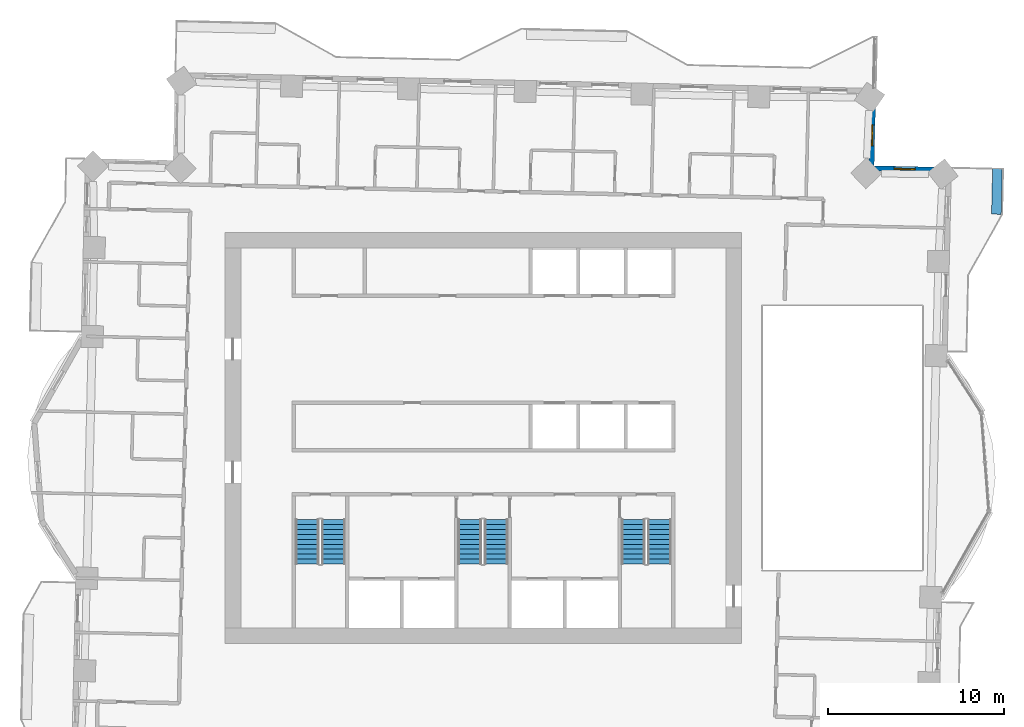
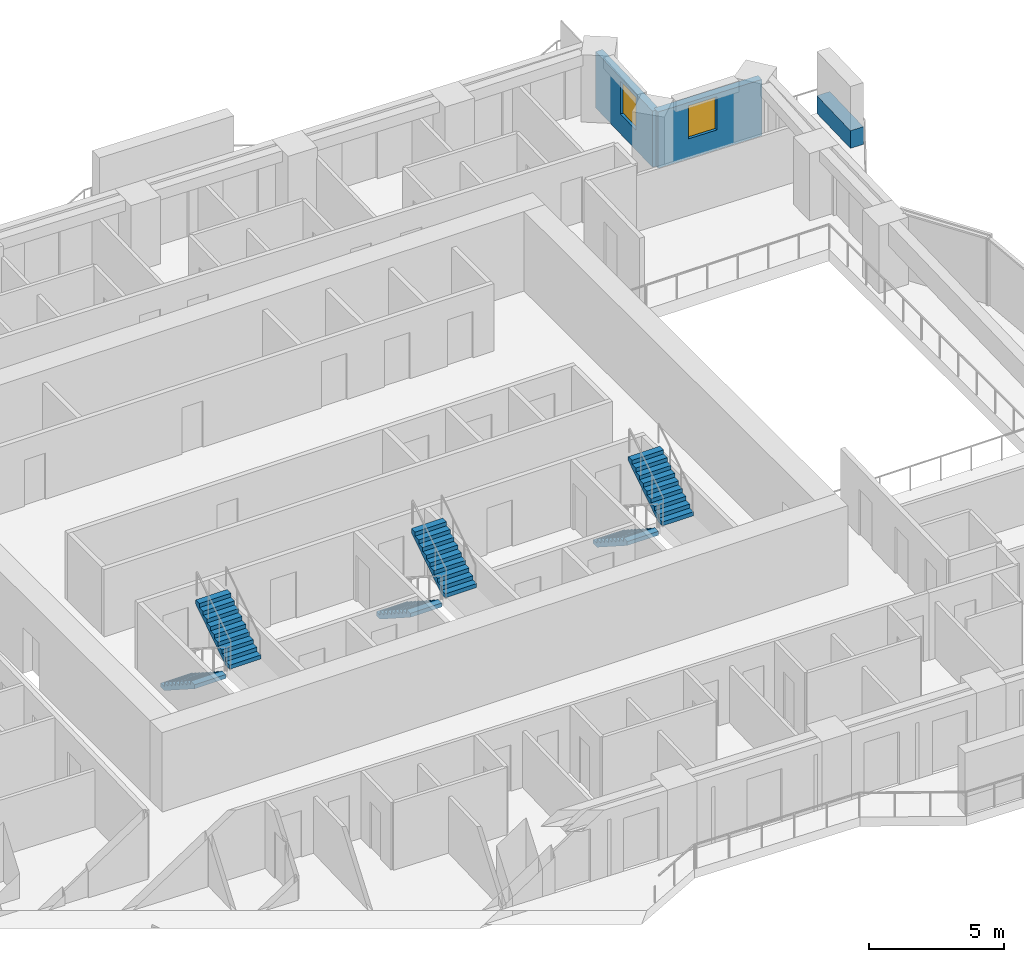
# One storey, part 10 of 14: 6 stair flights, 3 walls, 2 windows, 2 openings, 3 elements without a shape of their own.
"""IFC4 building model written with IfcOpenShell, lengths in metres."""

from ifc_helpers import new_model, si_unit, direction, frame, frame_2d, origin, place, context, subcontext, project, spatial, polyline, rectangle, outline, extrude, material, layer, layer_set, type_object, element, fill, aggregate, save


model = new_model("IFC4")

# Units and contexts
model_context = context("Model", 3, precision=1e-05, world=origin(), true_north=direction((0.0, 1.0)))
body_context = subcontext(model_context, "Body", "Model", "MODEL_VIEW")
ifc_project = project(units=[si_unit("LENGTHUNIT", "METRE"), si_unit("AREAUNIT", "SQUARE_METRE"), si_unit("VOLUMEUNIT", "CUBIC_METRE"), si_unit("PLANEANGLEUNIT", "RADIAN"), si_unit("MASSUNIT", "GRAM", prefix="KILO")], contexts=[model_context])

# Site, building, storey
site_placement = place(None, origin())
site = spatial("IfcSite", under=ifc_project, at=site_placement, CompositionType="ELEMENT")
building_placement = place(site_placement, origin())
building = spatial("IfcBuilding", under=site, at=building_placement, Name="Mangrove Gate Tower", CompositionType="ELEMENT")
storey_placement = place(building_placement, frame((0.0, 0.0, 167.10009765625)))
storey = spatial("IfcBuildingStorey", under=building, at=storey_placement, Name="L42", CompositionType="ELEMENT", Elevation=167.10009765625)

# Wall, opening, window
ifc_material_1 = material(Name="Limestone", Category="masonry")
ifc_layer_1 = layer(ifc_material_1, 0.0400390625, Name="Limestone cladding")
ifc_material_2 = material(Name="Ventilated air gap")
ifc_layer_2 = layer(ifc_material_2, 0.0400390625, Name="Ventilated cavity")
ifc_material_3 = material(Name="Mineral wool insulation")
ifc_layer_3 = layer(ifc_material_3, 0.06005859375, Name="Insulation")
ifc_material_4 = material(Name="Breather membrane")
ifc_layer_4 = layer(ifc_material_4, 0.001953125, Name="Breather membrane")
ifc_material_5 = material(Name="Concrete C20/25 blockwork", Category="masonry")
ifc_layer_5 = layer(ifc_material_5, 0.14990234375, Name="Blockwork backing wall")
ifc_material_6 = material(Name="Gypsum plaster")
ifc_layer_6 = layer(ifc_material_6, 0.008056640625, Name="Internal plaster")
ifc_layer_set_1 = layer_set([ifc_layer_1, ifc_layer_2, ifc_layer_3, ifc_layer_4, ifc_layer_5, ifc_layer_6], Name="External wall 300 limestone cladding")
wall_type_1 = type_object("IfcWallType", Name="External wall 300 limestone cladding", PredefinedType="SOLIDWALL", material=ifc_layer_set_1)
wall_1_placement = place(storey_placement, frame((26.47998046875, 15.239990234375, 0.0), z_axis=(0.0, 0.0, 1.0), x_axis=(-0.999741204967, 0.022749133868, 0.0)))
wall_1 = element("IfcWall", 1, at=wall_1_placement, inside=storey, type_object=wall_type_1, Name="WALL-L42-N3", PredefinedType="SOLIDWALL", context=body_context, shape_type="SweptSolid", body=[
    extrude(rectangle(XDim=4.400146484375, YDim=0.300048828125, at=frame_2d((2.2001953125, 0.0))), origin(), (0.0, 0.0, 1.0), 2.5498046875),
])
opening_1_placement = place(wall_1_placement, frame((1.909912109375, 0.0, 0.89990234375)))
opening_1 = element("IfcOpeningElement", 2, at=opening_1_placement, cuts=wall_1, Name="Opening W1", PredefinedType="OPENING", context=body_context, shape_type="SweptSolid", body=[
    extrude(rectangle(XDim=1.199951171875, YDim=1.5, at=frame_2d((0.60009765625, 0.75))), frame((0.0, 0.159912109375, 0.0), z_axis=(0.0, -1.0, 0.0), x_axis=(1.0, 0.0, 0.0)), (0.0, 0.0, 1.0), 0.320068359375),
])
ifc_material_7 = material(Name="Aluminium frame with double-glazed low-e glass", Category="aluminium")
window_type = type_object("IfcWindowType", Name="Side lite 1200x1500", PartitioningType="SINGLE_PANEL", PredefinedType="WINDOW", material=ifc_material_7)
window_1_placement = place(opening_1_placement, origin())
window_1 = element("IfcWindow", 3, at=window_1_placement, inside=storey, type_object=window_type, Name="WIN-L42-N3-1", OverallHeight=1.5, OverallWidth=1.199951171875, PartitioningType="SINGLE_PANEL", PredefinedType="WINDOW", context=body_context, shape_type="SweptSolid", body=[
    extrude(rectangle(XDim=1.199951171875, YDim=1.5, at=frame_2d((0.60009765625, 0.75))), frame((0.0, 0.030029296875, 0.0), z_axis=(0.0, -1.0, 0.0), x_axis=(1.0, 0.0, 0.0)), (0.0, 0.0, 1.0), 0.06005859375),
])
fill(opening_1, window_1)

wall_2_placement = place(storey_placement, frame((22.0810546875, 15.340087890625, 0.0), z_axis=(0.0, 0.0, 1.0), x_axis=(0.022693676786, 0.999742465355, 0.0)))
wall_2 = element("IfcWall", 4, at=wall_2_placement, inside=storey, type_object=wall_type_1, Name="WALL-L42-E4", PredefinedType="SOLIDWALL", context=body_context, shape_type="SweptSolid", body=[
    extrude(rectangle(XDim=4.400146484375, YDim=0.300048828125, at=frame_2d((2.2001953125, 0.0))), origin(), (0.0, 0.0, 1.0), 2.5498046875),
])
opening_2_placement = place(wall_2_placement, frame((1.277099609375, 0.0, 0.89990234375)))
opening_2 = element("IfcOpeningElement", 5, at=opening_2_placement, cuts=wall_2, Name="Opening W1", PredefinedType="OPENING", context=body_context, shape_type="SweptSolid", body=[
    extrude(rectangle(XDim=1.199951171875, YDim=1.5, at=frame_2d((0.60009765625, 0.75))), frame((0.0, 0.159912109375, 0.0), z_axis=(0.0, -1.0, 0.0), x_axis=(1.0, 0.0, 0.0)), (0.0, 0.0, 1.0), 0.320068359375),
])
window_2_placement = place(opening_2_placement, origin())
window_2 = element("IfcWindow", 6, at=window_2_placement, inside=storey, type_object=window_type, Name="WIN-L42-E4-1", OverallHeight=1.5, OverallWidth=1.199951171875, PartitioningType="SINGLE_PANEL", PredefinedType="WINDOW", context=body_context, shape_type="SweptSolid", body=[
    extrude(rectangle(XDim=1.199951171875, YDim=1.5, at=frame_2d((0.60009765625, 0.75))), frame((0.0, 0.030029296875, 0.0), z_axis=(0.0, -1.0, 0.0), x_axis=(1.0, 0.0, 0.0)), (0.0, 0.0, 1.0), 0.06005859375),
])
fill(opening_2, window_2)

# Wall
ifc_material_8 = material(Name="Concrete C32/40", Category="concrete")
ifc_layer_7 = layer(ifc_material_8, 0.199951171875, Name="Planter trough wall")
ifc_material_9 = material(Name="Bituminous waterproofing membrane")
ifc_layer_8 = layer(ifc_material_9, 0.0048828125, Name="Waterproofing")
ifc_material_10 = material(Name="Drainage board and gravel")
ifc_layer_9 = layer(ifc_material_10, 0.044921875, Name="Drainage layer")
ifc_material_11 = material(Name="Planting soil")
ifc_layer_10 = layer(ifc_material_11, 0.300048828125, Name="Growing medium")
ifc_layer_set_2 = layer_set([ifc_layer_7, ifc_layer_8, ifc_layer_9, ifc_layer_10], Name="Planter wall 550 C32/40")
wall_type_2 = type_object("IfcWallType", Name="Planter wall 550 C32/40", PredefinedType="USERDEFINED", material=ifc_layer_set_2)
wall_3_placement = place(storey_placement, frame((29.18798828125, 12.72802734375, 0.0), z_axis=(0.0, 0.0, 1.0), x_axis=(0.022727805448, 0.999741690068, 0.0)))
element("IfcWall", 7, at=wall_3_placement, inside=storey, type_object=wall_type_2, Name="PLANTER L42 E1.1", ObjectType="PLANTER", PredefinedType="USERDEFINED", context=body_context, shape_type="SweptSolid", body=[
    extrude(rectangle(XDim=2.599609375, YDim=0.550048828125, at=frame_2d((1.2998046875, 0.0))), origin(), (0.0, 0.0, 1.0), 0.7998046875),
])

# Stair, stair flights
ifc_material_12 = material(Name="Concrete C40/50", Category="concrete")
stair_type = type_object("IfcStairType", Name="Core stair 1350", PredefinedType="HALF_TURN_STAIR", material=ifc_material_12)
stair_1_placement = place(storey_placement, origin())
stair_1 = element("IfcStair", 8, at=stair_1_placement, inside=storey, type_object=stair_type, Name="L42 Stair 1", PredefinedType="HALF_TURN_STAIR")
ifc_material_13 = material(Name="Concrete C40/50", Category="concrete")
stair_flight_type = type_object("IfcStairFlightType", Name="Core stair flight 1350", PredefinedType="STRAIGHT", material=ifc_material_13)
stair_flight_1_placement = place(storey_placement, frame((-10.02490234375, -4.64990234375, 0.0), z_axis=(0.0, 0.0, 1.0), x_axis=(0.0, -1.0, 0.0)))
stair_flight_1 = element("IfcStairFlight", 9, at=stair_flight_1_placement, type_object=stair_flight_type, Name="ST1 flight 1", NumberOfRisers=10, NumberOfTreads=9, PredefinedType="STRAIGHT", RiserHeight=0.18, TreadLength=0.28, context=body_context, shape_type="SweptSolid", body=[
    extrude(outline(polyline([(0.0, 0.0), (0.0, 0.179931640625), (0.280029296875, 0.179931640625), (0.280029296875, 0.360107421875), (0.56005859375, 0.360107421875), (0.56005859375, 0.5400390625), (0.840087890625, 0.5400390625), (0.840087890625, 0.719970703125), (1.1201171875, 0.719970703125), (1.1201171875, 0.89990234375), (1.39990234375, 0.89990234375), (1.39990234375, 1.080078125), (1.679931640625, 1.080078125), (1.679931640625, 1.260009765625), (1.9599609375, 1.260009765625), (1.9599609375, 1.43994140625), (2.239990234375, 1.43994140625), (2.239990234375, 1.6201171875), (2.52001953125, 1.6201171875), (2.52001953125, 1.800048828125), (2.52001953125, 1.44189453125), (0.277099609375, 0.0), (0.0, 0.0)])), frame((0.0, 0.675048828125, 0.0), z_axis=(0.0, -1.0, 0.0), x_axis=(1.0, 0.0, 0.0)), (0.0, 0.0, 1.0), 1.35009765625),
])
stair_flight_2_placement = place(storey_placement, frame((-8.52490234375, -7.169921875, 1.7998046875), z_axis=(0.0, 0.0, 1.0), x_axis=(0.0, 1.0, 0.0)))
stair_flight_2 = element("IfcStairFlight", 10, at=stair_flight_2_placement, type_object=stair_flight_type, Name="ST1 flight 2", NumberOfRisers=10, NumberOfTreads=9, PredefinedType="STRAIGHT", RiserHeight=0.18, TreadLength=0.28, context=body_context, shape_type="SweptSolid", body=[
    extrude(outline(polyline([(0.0, 0.0), (0.0, 0.179931640625), (0.280029296875, 0.179931640625), (0.280029296875, 0.360107421875), (0.56005859375, 0.360107421875), (0.56005859375, 0.5400390625), (0.840087890625, 0.5400390625), (0.840087890625, 0.719970703125), (1.1201171875, 0.719970703125), (1.1201171875, 0.89990234375), (1.39990234375, 0.89990234375), (1.39990234375, 1.080078125), (1.679931640625, 1.080078125), (1.679931640625, 1.260009765625), (1.9599609375, 1.260009765625), (1.9599609375, 1.43994140625), (2.239990234375, 1.43994140625), (2.239990234375, 1.6201171875), (2.52001953125, 1.6201171875), (2.52001953125, 1.800048828125), (2.52001953125, 1.44189453125), (0.277099609375, 0.0), (0.0, 0.0)])), frame((0.0, 0.675048828125, 0.0), z_axis=(0.0, -1.0, 0.0), x_axis=(1.0, 0.0, 0.0)), (0.0, 0.0, 1.0), 1.35009765625),
])
aggregate(stair_1, [stair_flight_1, stair_flight_2])

stair_2_placement = place(storey_placement, origin())
stair_2 = element("IfcStair", 11, at=stair_2_placement, inside=storey, type_object=stair_type, Name="L42 Stair 2", PredefinedType="HALF_TURN_STAIR")
stair_flight_3_placement = place(storey_placement, frame((-0.77490234375, -4.64990234375, 0.0), z_axis=(0.0, 0.0, 1.0), x_axis=(0.0, -1.0, 0.0)))
stair_flight_3 = element("IfcStairFlight", 12, at=stair_flight_3_placement, type_object=stair_flight_type, Name="ST2 flight 1", NumberOfRisers=10, NumberOfTreads=9, PredefinedType="STRAIGHT", RiserHeight=0.18, TreadLength=0.28, context=body_context, shape_type="SweptSolid", body=[
    extrude(outline(polyline([(0.0, 0.0), (0.0, 0.179931640625), (0.280029296875, 0.179931640625), (0.280029296875, 0.360107421875), (0.56005859375, 0.360107421875), (0.56005859375, 0.5400390625), (0.840087890625, 0.5400390625), (0.840087890625, 0.719970703125), (1.1201171875, 0.719970703125), (1.1201171875, 0.89990234375), (1.39990234375, 0.89990234375), (1.39990234375, 1.080078125), (1.679931640625, 1.080078125), (1.679931640625, 1.260009765625), (1.9599609375, 1.260009765625), (1.9599609375, 1.43994140625), (2.239990234375, 1.43994140625), (2.239990234375, 1.6201171875), (2.52001953125, 1.6201171875), (2.52001953125, 1.800048828125), (2.52001953125, 1.44189453125), (0.277099609375, 0.0), (0.0, 0.0)])), frame((0.0, 0.675048828125, 0.0), z_axis=(0.0, -1.0, 0.0), x_axis=(1.0, 0.0, 0.0)), (0.0, 0.0, 1.0), 1.35009765625),
])
stair_flight_4_placement = place(storey_placement, frame((0.72509765625, -7.169921875, 1.7998046875), z_axis=(0.0, 0.0, 1.0), x_axis=(0.0, 1.0, 0.0)))
stair_flight_4 = element("IfcStairFlight", 13, at=stair_flight_4_placement, type_object=stair_flight_type, Name="ST2 flight 2", NumberOfRisers=10, NumberOfTreads=9, PredefinedType="STRAIGHT", RiserHeight=0.18, TreadLength=0.28, context=body_context, shape_type="SweptSolid", body=[
    extrude(outline(polyline([(0.0, 0.0), (0.0, 0.179931640625), (0.280029296875, 0.179931640625), (0.280029296875, 0.360107421875), (0.56005859375, 0.360107421875), (0.56005859375, 0.5400390625), (0.840087890625, 0.5400390625), (0.840087890625, 0.719970703125), (1.1201171875, 0.719970703125), (1.1201171875, 0.89990234375), (1.39990234375, 0.89990234375), (1.39990234375, 1.080078125), (1.679931640625, 1.080078125), (1.679931640625, 1.260009765625), (1.9599609375, 1.260009765625), (1.9599609375, 1.43994140625), (2.239990234375, 1.43994140625), (2.239990234375, 1.6201171875), (2.52001953125, 1.6201171875), (2.52001953125, 1.800048828125), (2.52001953125, 1.44189453125), (0.277099609375, 0.0), (0.0, 0.0)])), frame((0.0, 0.675048828125, 0.0), z_axis=(0.0, -1.0, 0.0), x_axis=(1.0, 0.0, 0.0)), (0.0, 0.0, 1.0), 1.35009765625),
])
aggregate(stair_2, [stair_flight_3, stair_flight_4])

stair_3_placement = place(storey_placement, origin())
stair_3 = element("IfcStair", 14, at=stair_3_placement, inside=storey, type_object=stair_type, Name="L42 Stair 3", PredefinedType="HALF_TURN_STAIR")
stair_flight_5_placement = place(storey_placement, frame((8.52490234375, -4.64990234375, 0.0), z_axis=(0.0, 0.0, 1.0), x_axis=(0.0, -1.0, 0.0)))
stair_flight_5 = element("IfcStairFlight", 15, at=stair_flight_5_placement, type_object=stair_flight_type, Name="ST3 flight 1", NumberOfRisers=10, NumberOfTreads=9, PredefinedType="STRAIGHT", RiserHeight=0.18, TreadLength=0.28, context=body_context, shape_type="SweptSolid", body=[
    extrude(outline(polyline([(0.0, 0.0), (0.0, 0.179931640625), (0.280029296875, 0.179931640625), (0.280029296875, 0.360107421875), (0.56005859375, 0.360107421875), (0.56005859375, 0.5400390625), (0.840087890625, 0.5400390625), (0.840087890625, 0.719970703125), (1.1201171875, 0.719970703125), (1.1201171875, 0.89990234375), (1.39990234375, 0.89990234375), (1.39990234375, 1.080078125), (1.679931640625, 1.080078125), (1.679931640625, 1.260009765625), (1.9599609375, 1.260009765625), (1.9599609375, 1.43994140625), (2.239990234375, 1.43994140625), (2.239990234375, 1.6201171875), (2.52001953125, 1.6201171875), (2.52001953125, 1.800048828125), (2.52001953125, 1.44189453125), (0.277099609375, 0.0), (0.0, 0.0)])), frame((0.0, 0.675048828125, 0.0), z_axis=(0.0, -1.0, 0.0), x_axis=(1.0, 0.0, 0.0)), (0.0, 0.0, 1.0), 1.35009765625),
])
stair_flight_6_placement = place(storey_placement, frame((10.02490234375, -7.169921875, 1.7998046875), z_axis=(0.0, 0.0, 1.0), x_axis=(0.0, 1.0, 0.0)))
stair_flight_6 = element("IfcStairFlight", 16, at=stair_flight_6_placement, type_object=stair_flight_type, Name="ST3 flight 2", NumberOfRisers=10, NumberOfTreads=9, PredefinedType="STRAIGHT", RiserHeight=0.18, TreadLength=0.28, context=body_context, shape_type="SweptSolid", body=[
    extrude(outline(polyline([(0.0, 0.0), (0.0, 0.179931640625), (0.280029296875, 0.179931640625), (0.280029296875, 0.360107421875), (0.56005859375, 0.360107421875), (0.56005859375, 0.5400390625), (0.840087890625, 0.5400390625), (0.840087890625, 0.719970703125), (1.1201171875, 0.719970703125), (1.1201171875, 0.89990234375), (1.39990234375, 0.89990234375), (1.39990234375, 1.080078125), (1.679931640625, 1.080078125), (1.679931640625, 1.260009765625), (1.9599609375, 1.260009765625), (1.9599609375, 1.43994140625), (2.239990234375, 1.43994140625), (2.239990234375, 1.6201171875), (2.52001953125, 1.6201171875), (2.52001953125, 1.800048828125), (2.52001953125, 1.44189453125), (0.277099609375, 0.0), (0.0, 0.0)])), frame((0.0, 0.675048828125, 0.0), z_axis=(0.0, -1.0, 0.0), x_axis=(1.0, 0.0, 0.0)), (0.0, 0.0, 1.0), 1.35009765625),
])
aggregate(stair_3, [stair_flight_5, stair_flight_6])

save(model, "model.ifc")
